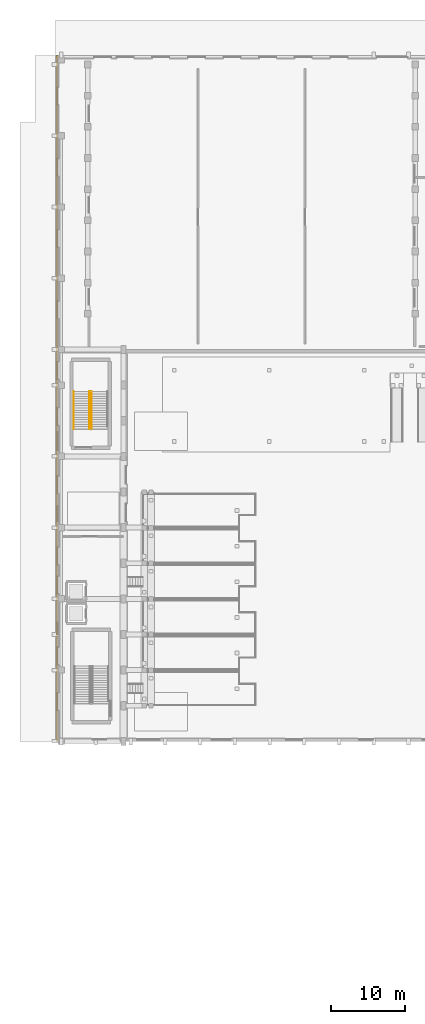
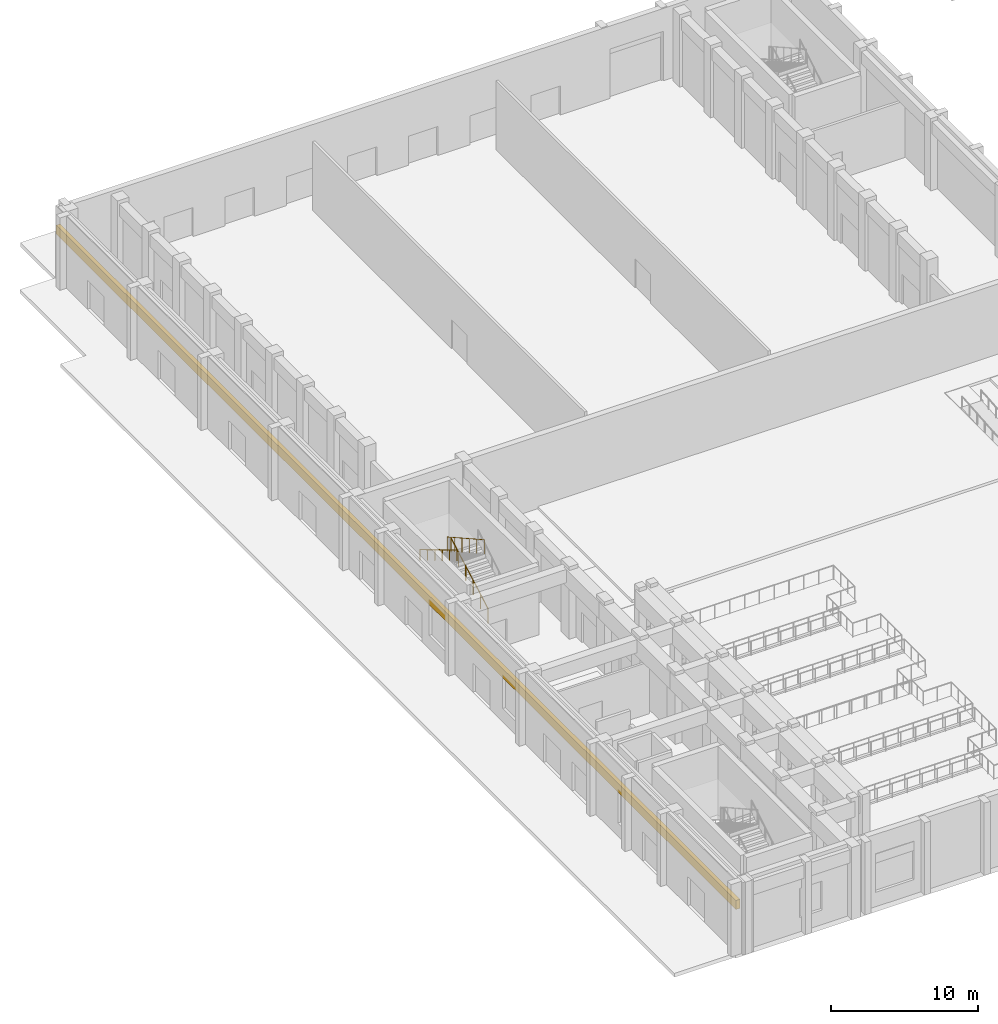
# One storey, part 69 of 87: 3 railings, 1 covering.
"""IFC4 building model written with IfcOpenShell, lengths in metres."""

from ifc_helpers import new_model, si_unit, direction, frame, origin, origin_2d, place, context, subcontext, project, spatial, rectangle, circle, extrude, material, layer, layer_set, type_object, element, save


model = new_model("IFC4")

# Units and contexts
model_context = context("Model", 3, precision=1e-05, world=origin(), true_north=direction((0.0, 1.0)))
body_context = subcontext(model_context, "Body", "Model", "MODEL_VIEW")
ifc_project = project(units=[si_unit("LENGTHUNIT", "METRE"), si_unit("AREAUNIT", "SQUARE_METRE"), si_unit("VOLUMEUNIT", "CUBIC_METRE"), si_unit("PLANEANGLEUNIT", "RADIAN"), si_unit("MASSUNIT", "GRAM", prefix="KILO")], contexts=[model_context])

# Site, building, storey
site_placement = place(None, origin())
site = spatial("IfcSite", under=ifc_project, at=site_placement, CompositionType="ELEMENT")
building_placement = place(site_placement, origin())
building = spatial("IfcBuilding", under=site, at=building_placement, Name="Nakhvara Creek Congress Hotel", CompositionType="ELEMENT")
storey_placement = place(building_placement, origin())
storey = spatial("IfcBuildingStorey", under=building, at=storey_placement, Name="L00", CompositionType="ELEMENT", Elevation=0.0)

# Covering
ifc_material_1 = material(Name="Honed pale Omani limestone architectural cladding", Category="masonry")
ifc_layer = layer(ifc_material_1, 0.239990234375)
ifc_layer_set = layer_set([ifc_layer], Name="Honed pale Omani limestone architectural cladding")
covering_type = type_object("IfcCoveringType", Name="COV-ARCH-240", PredefinedType="CLADDING", material=ifc_layer_set)
covering_placement = place(storey_placement, frame((0.18994140625, 79.800048828125, 3.60009765625), z_axis=(0.0, 0.0, 1.0), x_axis=(0.0, 1.0, 0.0)))
element("IfcCovering", 1, at=covering_placement, inside=storey, type_object=covering_type, Name="Pale Limestone Spandrel Band CF04-0033", PredefinedType="CLADDING", context=body_context, shape_type="SweptSolid", body=[
    extrude(rectangle(XDim=92.39990234375, YDim=0.300048828125, at=origin_2d()), origin(), (0.0, 0.0, 1.0), 0.75),
])

# Railings
ifc_material_2 = material(Name="Brushed stainless steel 316L", Category="steel")
railing_type_1 = type_object("IfcRailingType", Name="RL-GUARD-1200", PredefinedType="GUARDRAIL", material=ifc_material_2)
railing_1_placement = place(storey_placement, frame((4.875, 75.679931640625, 0.176513671875)))
element("IfcRailing", 2, at=railing_1_placement, inside=storey, type_object=railing_type_1, Name="L00 ST07 stair guard 1", PredefinedType="GUARDRAIL", context=body_context, shape_type="SweptSolid", body=[
    extrude(circle(Radius=0.02392578125, at=origin_2d()), frame((0.0, 0.012939453125, 1.18310546875), z_axis=(0.0, 0.872427454555, 0.488743630688), x_axis=(-1.0, 0.0, 0.0)), (0.0, 0.0, 1.0), 5.74755859375),
    extrude(circle(Radius=0.02099609375, at=origin_2d()), origin(), (0.0, 0.0, 1.0), 1.1806640625),
    extrude(circle(Radius=0.02099609375, at=origin_2d()), frame((0.0, 1.008056640625, 0.564697265625)), (0.0, 0.0, 1.0), 1.1806640625),
    extrude(circle(Radius=0.02099609375, at=origin_2d()), frame((0.0, 2.01611328125, 1.12939453125)), (0.0, 0.0, 1.0), 1.1806640625),
    extrude(circle(Radius=0.02099609375, at=origin_2d()), frame((0.0, 3.02392578125, 1.694091796875)), (0.0, 0.0, 1.0), 1.1806640625),
    extrude(circle(Radius=0.02099609375, at=origin_2d()), frame((0.0, 4.031982421875, 2.2587890625)), (0.0, 0.0, 1.0), 1.1806640625),
    extrude(circle(Radius=0.02099609375, at=origin_2d()), frame((0.0, 5.0400390625, 2.823486328125)), (0.0, 0.0, 1.0), 1.1806640625),
])
railing_2_placement = place(storey_placement, frame((4.574951171875, 80.719970703125, 3.176513671875)))
element("IfcRailing", 3, at=railing_2_placement, inside=storey, type_object=railing_type_1, Name="L00 ST07 stair guard 3", PredefinedType="GUARDRAIL", context=body_context, shape_type="SweptSolid", body=[
    extrude(circle(Radius=0.02392578125, at=origin_2d()), frame((0.0, -0.012939453125, 1.18310546875), z_axis=(0.0, -0.872427454555, 0.488743630688), x_axis=(1.0, 0.0, 0.0)), (0.0, 0.0, 1.0), 5.74755859375),
    extrude(circle(Radius=0.02099609375, at=origin_2d()), origin(), (0.0, 0.0, 1.0), 1.1806640625),
    extrude(circle(Radius=0.02099609375, at=origin_2d()), frame((0.0, -1.008056640625, 0.564697265625)), (0.0, 0.0, 1.0), 1.1806640625),
    extrude(circle(Radius=0.02099609375, at=origin_2d()), frame((0.0, -2.01611328125, 1.12939453125)), (0.0, 0.0, 1.0), 1.1806640625),
    extrude(circle(Radius=0.02099609375, at=origin_2d()), frame((0.0, -3.02392578125, 1.694091796875)), (0.0, 0.0, 1.0), 1.1806640625),
    extrude(circle(Radius=0.02099609375, at=origin_2d()), frame((0.0, -4.031982421875, 2.2587890625)), (0.0, 0.0, 1.0), 1.1806640625),
    extrude(circle(Radius=0.02099609375, at=origin_2d()), frame((0.0, -5.0400390625, 2.823486328125)), (0.0, 0.0, 1.0), 1.1806640625),
])
railing_type_2 = type_object("IfcRailingType", Name="RL-HAND-900", PredefinedType="HANDRAIL", material=ifc_material_2)
railing_3_placement = place(storey_placement, frame((2.445068359375, 80.719970703125, 3.176513671875)))
element("IfcRailing", 4, at=railing_3_placement, inside=storey, type_object=railing_type_2, Name="L00 ST07 stair handrail 2", PredefinedType="HANDRAIL", context=body_context, shape_type="SweptSolid", body=[
    extrude(circle(Radius=0.02392578125, at=origin_2d()), frame((0.0, -0.0126953125, 0.88330078125), z_axis=(0.0, -0.858471053773, 0.512862018319), x_axis=(1.0, 0.0, 0.0)), (0.0, 0.0, 1.0), 5.841552734375),
    extrude(circle(Radius=0.02099609375, at=origin_2d()), origin(), (0.0, 0.0, 1.0), 0.880615234375),
    extrude(circle(Radius=0.02099609375, at=origin_2d()), frame((0.0, -1.008056640625, 0.602294921875)), (0.0, 0.0, 1.0), 0.880615234375),
    extrude(circle(Radius=0.02099609375, at=origin_2d()), frame((0.0, -2.01611328125, 1.204345703125)), (0.0, 0.0, 1.0), 0.880615234375),
    extrude(circle(Radius=0.02099609375, at=origin_2d()), frame((0.0, -3.02392578125, 1.806640625)), (0.0, 0.0, 1.0), 0.880615234375),
    extrude(circle(Radius=0.02099609375, at=origin_2d()), frame((0.0, -4.031982421875, 2.40869140625)), (0.0, 0.0, 1.0), 0.880615234375),
    extrude(circle(Radius=0.02099609375, at=origin_2d()), frame((0.0, -5.0400390625, 3.010986328125)), (0.0, 0.0, 1.0), 0.880615234375),
])

save(model, "model.ifc")
